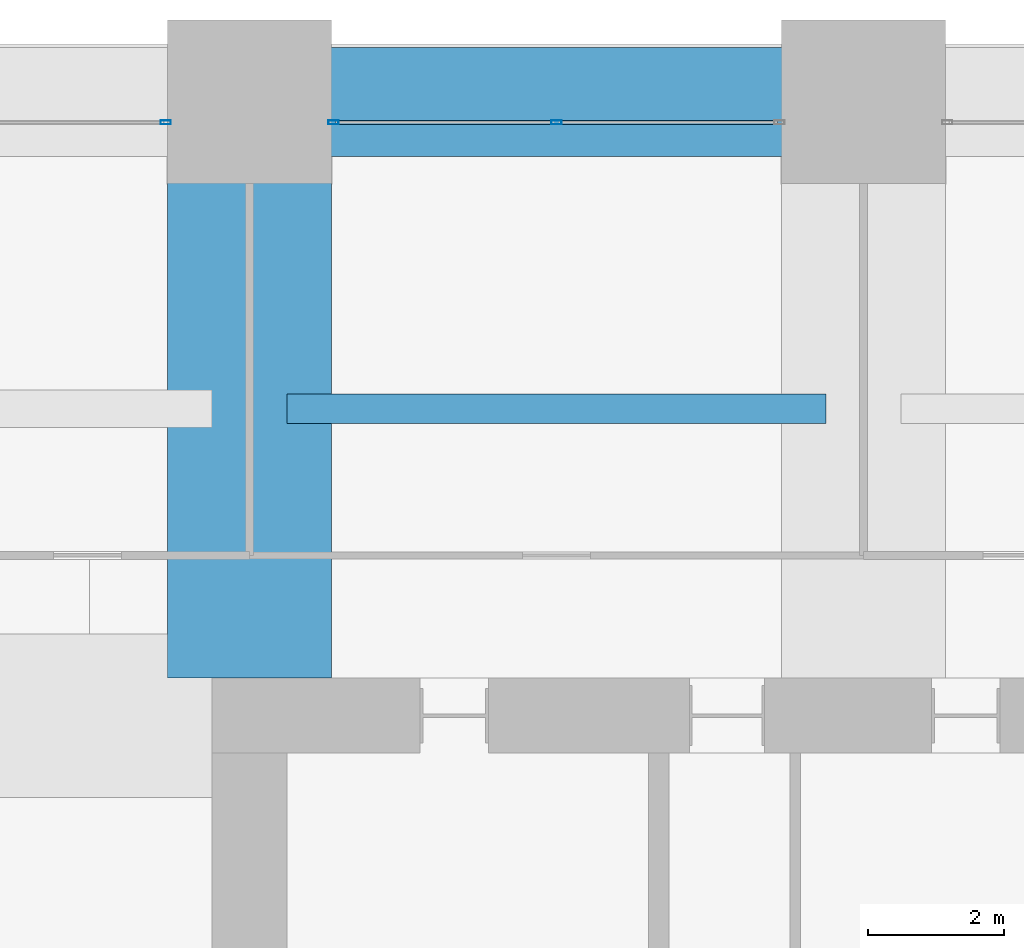
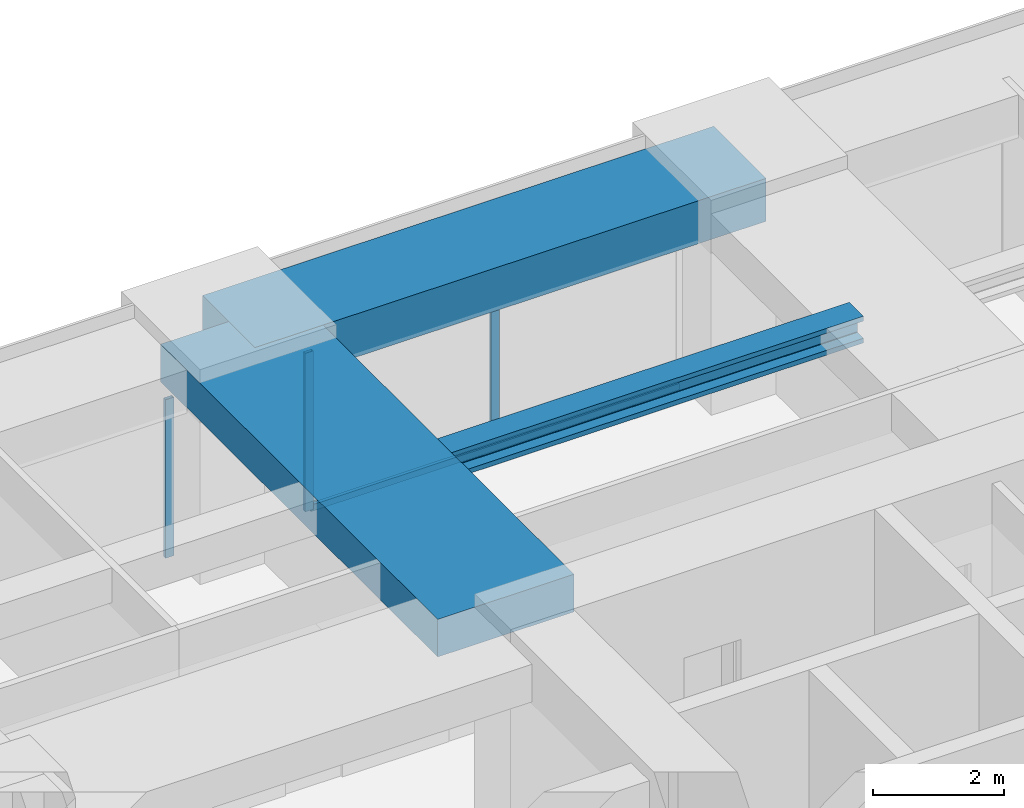
# One storey, part 23 of 34: 4 members, 3 beams, 2 elements without a shape of their own.
"""IFC4 building model written with IfcOpenShell, lengths in metres."""

from ifc_helpers import new_model, si_unit, direction, frame, origin, origin_2d, place, context, subcontext, project, spatial, rectangle, hollow_rectangle, i_section, extrude, material, material_profile, profile_set, type_object, element, aggregate, save


model = new_model("IFC4")

# Units and contexts
model_context = context("Model", 3, precision=1e-05, world=origin(), true_north=direction((0.0, 1.0)))
body_context = subcontext(model_context, "Body", "Model", "MODEL_VIEW")
ifc_project = project(units=[si_unit("LENGTHUNIT", "METRE"), si_unit("AREAUNIT", "SQUARE_METRE"), si_unit("VOLUMEUNIT", "CUBIC_METRE"), si_unit("PLANEANGLEUNIT", "RADIAN"), si_unit("MASSUNIT", "GRAM", prefix="KILO")], contexts=[model_context])

# Site, building, storey
site_placement = place(None, origin())
site = spatial("IfcSite", under=ifc_project, at=site_placement, CompositionType="ELEMENT")
building_placement = place(site_placement, origin())
building = spatial("IfcBuilding", under=site, at=building_placement, Name="Zorevar Civic Tower", CompositionType="ELEMENT")
storey_placement = place(building_placement, frame((0.0, 0.0, 226.199951171875)))
storey = spatial("IfcBuildingStorey", under=building, at=storey_placement, Name="L55", CompositionType="ELEMENT", Elevation=226.199951171875)

# Beam
ifc_material_1 = material(Name="Concrete C50/60", Category="concrete")
ifc_material_profile_1 = material_profile(ifc_material_1, rectangle(XDim=2.39990234375, YDim=0.699951171875, at=origin_2d()), Name="RC 2400x700")
ifc_profile_set_1 = profile_set([ifc_material_profile_1], Name="Concrete C50/60")
beam_type_1 = type_object("IfcBeamType", Name="Beam RC 2400x700", PredefinedType="BEAM", material=ifc_profile_set_1)
beam_1_placement = place(storey_placement, frame((18.0, 36.550048828125, 3.400146484375), z_axis=(0.0, 1.0, 0.0), x_axis=(-1.0, 0.0, 0.0)))
element("IfcBeam", 1, at=beam_1_placement, inside=storey, type_object=beam_type_1, Name="Girder L56", PredefinedType="BEAM", context=body_context, shape_type="SweptSolid", body=[
    extrude(rectangle(XDim=2.39990234375, YDim=0.699951171875, at=origin_2d()), origin(), (0.0, 0.0, 1.0), 8.449951171875),
])

# Curtain wall, member
ifc_material_2 = material(Name="Dark grey solar-control glass in black aluminium frame", Category="aluminium")
curtain_wall_type = type_object("IfcCurtainWallType", Name="Curtain wall CW4 high zone", PredefinedType="NOTDEFINED", material=ifc_material_2)
curtain_wall_1_placement = place(storey_placement, origin())
curtain_wall_1 = element("IfcCurtainWall", 2, at=curtain_wall_1_placement, inside=storey, type_object=curtain_wall_type, Name="CW4 L55", PredefinedType="NOTDEFINED")
ifc_material_3 = material(Name="Aluminium, black anodised", Category="aluminium")
ifc_material_profile_2 = material_profile(ifc_material_3, hollow_rectangle(XDim=0.06005859375, YDim=0.14990234375, WallThickness=0.00390625, at=origin_2d()), Name="AL 150x60x4")
ifc_profile_set_2 = profile_set([ifc_material_profile_2], Name="Aluminium, black anodised")
member_type_1 = type_object("IfcMemberType", Name="CW4 mullion AL 150x60x4", PredefinedType="MULLION", material=ifc_profile_set_2)
member_1_placement = place(storey_placement, frame((16.77001953125, 44.699951171875, 0.0), z_axis=(0.0, 0.0, 1.0), x_axis=(0.0, 1.0, 0.0)))
member_1 = element("IfcMember", 3, at=member_1_placement, type_object=member_type_1, Name="CW4 mullion 3", PredefinedType="MULLION", context=body_context, shape_type="SweptSolid", body=[
    extrude(hollow_rectangle(XDim=0.06005859375, YDim=0.14990234375, WallThickness=0.00390625, at=origin_2d()), origin(), (0.0, 0.0, 1.0), 2.949951171875),
])
aggregate(curtain_wall_1, [member_1])

# Curtain wall, members
curtain_wall_2_placement = place(storey_placement, origin())
curtain_wall_2 = element("IfcCurtainWall", 4, at=curtain_wall_2_placement, inside=storey, type_object=curtain_wall_type, Name="CW4 L55", PredefinedType="NOTDEFINED")
member_2_placement = place(storey_placement, frame((19.22998046875, 44.699951171875, 0.0), z_axis=(0.0, 0.0, 1.0), x_axis=(0.0, 1.0, 0.0)))
member_2 = element("IfcMember", 5, at=member_2_placement, type_object=member_type_1, Name="CW4 mullion 1", PredefinedType="MULLION", context=body_context, shape_type="SweptSolid", body=[
    extrude(hollow_rectangle(XDim=0.06005859375, YDim=0.14990234375, WallThickness=0.00390625, at=origin_2d()), origin(), (0.0, 0.0, 1.0), 2.949951171875),
])
member_3_placement = place(storey_placement, frame((22.5, 44.699951171875, 0.06005859375), z_axis=(0.0, 0.0, 1.0), x_axis=(0.0, 1.0, 0.0)))
member_3 = element("IfcMember", 6, at=member_3_placement, type_object=member_type_1, Name="CW4 mullion 2", PredefinedType="MULLION", context=body_context, shape_type="SweptSolid", body=[
    extrude(hollow_rectangle(XDim=0.06005859375, YDim=0.14990234375, WallThickness=0.00390625, at=origin_2d()), origin(), (0.0, 0.0, 1.0), 2.889892578125),
])
ifc_material_4 = material(Name="Aluminium, black anodised", Category="aluminium")
ifc_material_profile_3 = material_profile(ifc_material_4, hollow_rectangle(XDim=0.06005859375, YDim=0.1201171875, WallThickness=0.0029296875, at=origin_2d()), Name="AL 120x60x3")
ifc_profile_set_3 = profile_set([ifc_material_profile_3], Name="Aluminium, black anodised")
member_type_2 = type_object("IfcMemberType", Name="CW4 transom AL 120x60x3", PredefinedType="USERDEFINED", material=ifc_profile_set_3)
member_4_placement = place(storey_placement, frame((19.260009765625, 44.699951171875, 0.030029296875), z_axis=(1.0, 0.0, 0.0), x_axis=(0.0, 1.0, 0.0)))
member_4 = element("IfcMember", 7, at=member_4_placement, type_object=member_type_2, Name="CW4 sill transom", ObjectType="TRANSOM", PredefinedType="USERDEFINED", context=body_context, shape_type="SweptSolid", body=[
    extrude(hollow_rectangle(XDim=0.06005859375, YDim=0.1201171875, WallThickness=0.0029296875, at=origin_2d()), origin(), (0.0, 0.0, 1.0), 6.47998046875),
])
aggregate(curtain_wall_2, [member_2, member_3, member_4])

# Beams
ifc_material_5 = material(Name="Steel S460M (HISTAR 460)", Category="steel")
ifc_material_profile_4 = material_profile(ifc_material_5, i_section(OverallWidth=0.431884765625, OverallDepth=0.498046875, WebThickness=0.0556640625, FlangeThickness=0.0888671875, FilletRadius=0.014892578125, at=origin_2d()), Name="HD 400x744")
ifc_profile_set_4 = profile_set([ifc_material_profile_4], Name="Steel S460M (HISTAR 460)")
beam_type_2 = type_object("IfcBeamType", Name="Core bay beam HD 400x744", PredefinedType="BEAM", material=ifc_profile_set_4)
beam_2_placement = place(storey_placement, frame((18.550048828125, 40.5, 3.5009765625), z_axis=(1.0, 0.0, 0.0), x_axis=(0.0, 1.0, 0.0)))
element("IfcBeam", 8, at=beam_2_placement, inside=storey, type_object=beam_type_2, Name="Secondary beam L56", PredefinedType="BEAM", context=body_context, shape_type="SweptSolid", body=[
    extrude(i_section(OverallWidth=0.431884765625, OverallDepth=0.498046875, WebThickness=0.0556640625, FlangeThickness=0.0888671875, FilletRadius=0.014892578125, at=origin_2d()), origin(), (0.0, 0.0, 1.0), 7.89990234375),
])
ifc_material_6 = material(Name="Concrete C50/60", Category="concrete")
ifc_material_profile_5 = material_profile(ifc_material_6, rectangle(XDim=1.60009765625, YDim=0.800048828125, at=origin_2d()), Name="RC 1600x800")
ifc_profile_set_5 = profile_set([ifc_material_profile_5], Name="Concrete C50/60")
beam_type_3 = type_object("IfcBeamType", Name="Edge beam RC 1600x800", PredefinedType="SPANDREL", material=ifc_profile_set_5)
beam_3_placement = place(storey_placement, frame((18.0, 45.0, 3.35009765625), z_axis=(1.0, 0.0, 0.0), x_axis=(0.0, 1.0, 0.0)))
element("IfcBeam", 9, at=beam_3_placement, inside=storey, type_object=beam_type_3, Name="Edge beam L56", PredefinedType="SPANDREL", context=body_context, shape_type="SweptSolid", body=[
    extrude(rectangle(XDim=1.60009765625, YDim=0.800048828125, at=origin_2d()), origin(), (0.0, 0.0, 1.0), 9.0),
])

save(model, "model.ifc")
